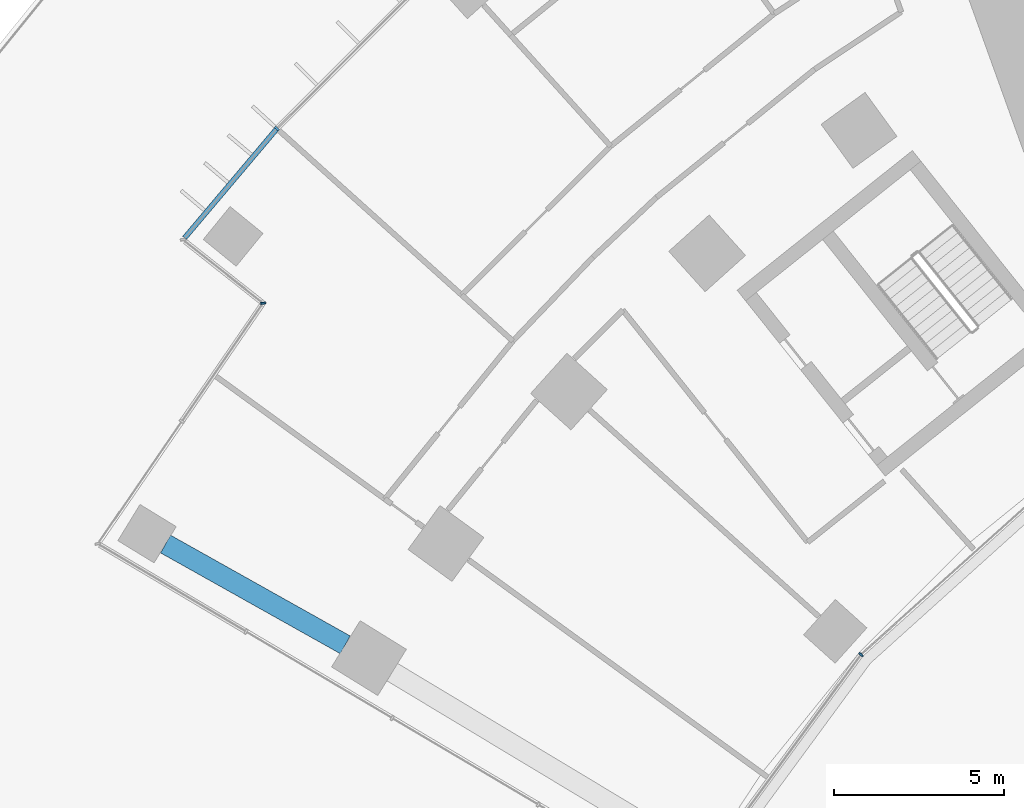
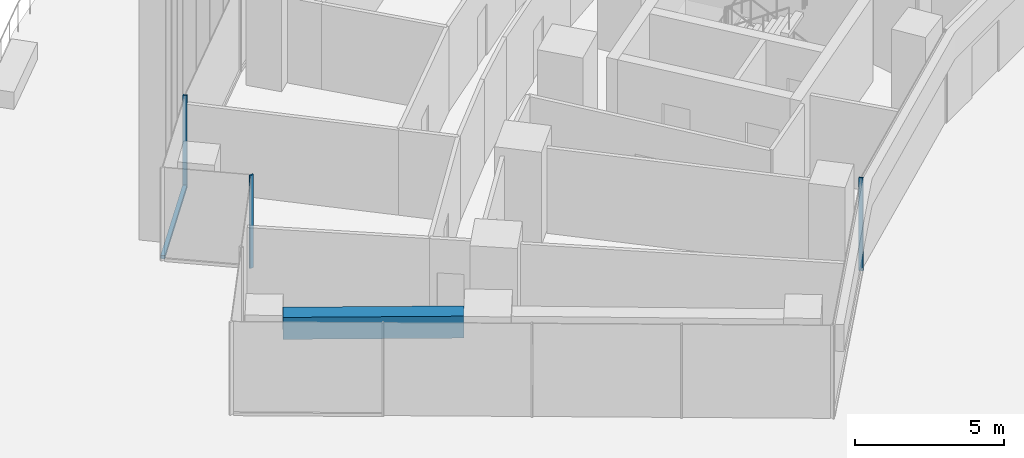
# One storey, part 3 of 24: 4 members, 1 beam, 3 elements without a shape of their own.
"""IFC4 building model written with IfcOpenShell, lengths in metres."""

from ifc_helpers import new_model, si_unit, direction, frame, origin, origin_2d, place, context, subcontext, project, spatial, rectangle, extrude, material, layer, layer_set, material_profile, profile_set, type_object, element, aggregate, save


model = new_model("IFC4")

# Units and contexts
model_context = context("Model", 3, precision=1e-05, world=origin(), true_north=direction((0.0, 1.0)))
body_context = subcontext(model_context, "Body", "Model", "MODEL_VIEW")
ifc_project = project(units=[si_unit("LENGTHUNIT", "METRE"), si_unit("AREAUNIT", "SQUARE_METRE"), si_unit("VOLUMEUNIT", "CUBIC_METRE"), si_unit("PLANEANGLEUNIT", "RADIAN"), si_unit("MASSUNIT", "GRAM", prefix="KILO")], contexts=[model_context])

# Site, building, storey
site_placement = place(None, origin())
site = spatial("IfcSite", under=ifc_project, at=site_placement, CompositionType="ELEMENT")
building_placement = place(site_placement, origin())
building = spatial("IfcBuilding", under=site, at=building_placement, Name="Stone Belt Terrace Tower", CompositionType="ELEMENT")
storey_placement = place(building_placement, frame((0.0, 0.0, 30.0)))
storey = spatial("IfcBuildingStorey", under=building, at=storey_placement, Name="L06", CompositionType="ELEMENT", Elevation=30.0)

# Curtain wall, members
ifc_material_1 = material(Name="Aluminium 6063-T6 anodised frame", Category="aluminium")
ifc_layer_1 = layer(ifc_material_1, 0.14990234375)
ifc_layer_set_1 = layer_set([ifc_layer_1], Name="CW-A unitised convex-face curtain wall")
curtain_wall_type_1 = type_object("IfcCurtainWallType", Name="CW-A unitised convex-face curtain wall", PredefinedType="NOTDEFINED", material=ifc_layer_set_1)
curtain_wall_1_placement = place(storey_placement, origin())
curtain_wall_1 = element("IfcCurtainWall", 1, at=curtain_wall_1_placement, inside=storey, type_object=curtain_wall_type_1, Name="CW-A convex face L06", PredefinedType="NOTDEFINED")
ifc_material_profile_1 = material_profile(ifc_material_1, rectangle(XDim=0.14990234375, YDim=0.06005859375, at=origin_2d()), Name="Aluminium 6063-T6 60x150")
ifc_profile_set_1 = profile_set([ifc_material_profile_1], Name="Aluminium 6063-T6 anodised frame")
member_type_1 = type_object("IfcMemberType", Name="CW-A mullion 60 x 150", PredefinedType="MULLION", material=ifc_profile_set_1)
member_1_placement = place(storey_placement, frame((-49.474365234375, 44.548095703125, 0.0), z_axis=(0.0, 0.0, 1.0), x_axis=(0.73617076011, -0.676795842155, 0.0)))
member_1 = element("IfcMember", 2, at=member_1_placement, type_object=member_type_1, Name="CW-A mullion 18", PredefinedType="MULLION", context=body_context, shape_type="SweptSolid", body=[
    extrude(rectangle(XDim=0.14990234375, YDim=0.06005859375, at=origin_2d()), origin(), (0.0, 0.0, 1.0), 3.800048828125),
])
ifc_material_profile_2 = material_profile(ifc_material_1, rectangle(XDim=0.14990234375, YDim=0.139892578125, at=origin_2d()), Name="Aluminium 6063-T6 150x140")
ifc_profile_set_2 = profile_set([ifc_material_profile_2], Name="Aluminium 6063-T6 anodised frame")
member_type_2 = type_object("IfcMemberType", Name="CW-A transom 140 x 150", PredefinedType="USERDEFINED", material=ifc_profile_set_2)
member_2_placement = place(storey_placement, frame((-49.495849609375, 44.522705078125, 0.070068359375), z_axis=(-0.645289935316, -0.763937758839, 0.0), x_axis=(0.763937758839, -0.645289935316, 0.0)))
member_2 = element("IfcMember", 3, at=member_2_placement, type_object=member_type_2, Name="CW-A transom 18.1", ObjectType="TRANSOM", PredefinedType="USERDEFINED", context=body_context, shape_type="SweptSolid", body=[
    extrude(rectangle(XDim=0.14990234375, YDim=0.139892578125, at=origin_2d()), origin(), (0.0, 0.0, 1.0), 4.17919921875),
])
aggregate(curtain_wall_1, [member_1, member_2])

# Curtain wall, member
ifc_layer_2 = layer(ifc_material_1, 0.14990234375)
ifc_layer_set_2 = layer_set([ifc_layer_2], Name="CW-B unitised concave-face curtain wall")
curtain_wall_type_2 = type_object("IfcCurtainWallType", Name="CW-B unitised concave-face curtain wall", PredefinedType="NOTDEFINED", material=ifc_layer_set_2)
curtain_wall_2_placement = place(storey_placement, origin())
curtain_wall_2 = element("IfcCurtainWall", 4, at=curtain_wall_2_placement, inside=storey, type_object=curtain_wall_type_2, Name="CW-B concave face L06", PredefinedType="NOTDEFINED")
ifc_material_profile_3 = material_profile(ifc_material_1, rectangle(XDim=0.14990234375, YDim=0.050048828125, at=origin_2d()), Name="Aluminium 6063-T6 50x150")
ifc_profile_set_3 = profile_set([ifc_material_profile_3], Name="Aluminium 6063-T6 anodised frame")
member_type_3 = type_object("IfcMemberType", Name="CW-B mullion 50 x 150", PredefinedType="MULLION", material=ifc_profile_set_3)
member_3_placement = place(storey_placement, frame((-32.27099609375, 29.056640625, 0.0), z_axis=(0.0, 0.0, 1.0), x_axis=(-0.741329775891, 0.671140941515, 0.0)))
member_3 = element("IfcMember", 5, at=member_3_placement, type_object=member_type_3, Name="CW-B mullion 2", PredefinedType="MULLION", context=body_context, shape_type="SweptSolid", body=[
    extrude(rectangle(XDim=0.14990234375, YDim=0.050048828125, at=origin_2d()), origin(), (0.0, 0.0, 1.0), 3.800048828125),
])
aggregate(curtain_wall_2, [member_3])

ifc_layer_3 = layer(ifc_material_1, 0.14990234375)
ifc_layer_set_3 = layer_set([ifc_layer_3], Name="CW-C stick curtain wall, horn ends and notches")
curtain_wall_type_3 = type_object("IfcCurtainWallType", Name="CW-C stick curtain wall, horn ends and notches", PredefinedType="NOTDEFINED", material=ifc_layer_set_3)
curtain_wall_3_placement = place(storey_placement, origin())
curtain_wall_3 = element("IfcCurtainWall", 6, at=curtain_wall_3_placement, inside=storey, type_object=curtain_wall_type_3, Name="CW-C notch face L06", PredefinedType="NOTDEFINED")
ifc_material_profile_4 = material_profile(ifc_material_1, rectangle(XDim=0.14990234375, YDim=0.06005859375, at=origin_2d()), Name="Aluminium 6063-T6 60x150")
ifc_profile_set_4 = profile_set([ifc_material_profile_4], Name="Aluminium 6063-T6 anodised frame")
member_type_4 = type_object("IfcMemberType", Name="CW-C mullion 60 x 150", PredefinedType="MULLION", material=ifc_profile_set_4)
member_4_placement = place(storey_placement, frame((-49.88330078125, 39.406005859375, 0.0), z_axis=(0.0, 0.0, 1.0), x_axis=(0.988851375203, 0.14890586879, 0.0)))
member_4 = element("IfcMember", 7, at=member_4_placement, type_object=member_type_4, Name="CW-C mullion 1", PredefinedType="MULLION", context=body_context, shape_type="SweptSolid", body=[
    extrude(rectangle(XDim=0.14990234375, YDim=0.06005859375, at=origin_2d()), origin(), (0.0, 0.0, 1.0), 3.800048828125),
])
aggregate(curtain_wall_3, [member_4])

# Beam
ifc_material_2 = material(Name="Concrete B60", Category="concrete")
ifc_material_profile_5 = material_profile(ifc_material_2, rectangle(XDim=0.60009765625, YDim=0.89990234375, at=origin_2d()), Name="RC 600x900")
ifc_profile_set_5 = profile_set([ifc_material_profile_5], Name="Concrete B60")
beam_type = type_object("IfcBeamType", Name="Edge beam RC 600x900 B60", PredefinedType="SPANDREL", material=ifc_profile_set_5)
beam_placement = place(storey_placement, frame((-47.4619140625, 29.3427734375, 3.030029296875), z_axis=(-0.872212947991, 0.489126336806, 0.0), x_axis=(-0.489126336806, -0.872212947991, 0.0)))
element("IfcBeam", 8, at=beam_placement, inside=storey, type_object=beam_type, Name="Edge beam L06 A Q to R", PredefinedType="SPANDREL", context=body_context, shape_type="SweptSolid", body=[
    extrude(rectangle(XDim=0.60009765625, YDim=0.89990234375, at=origin_2d()), origin(), (0.0, 0.0, 1.0), 6.069091796875),
])

save(model, "model.ifc")
